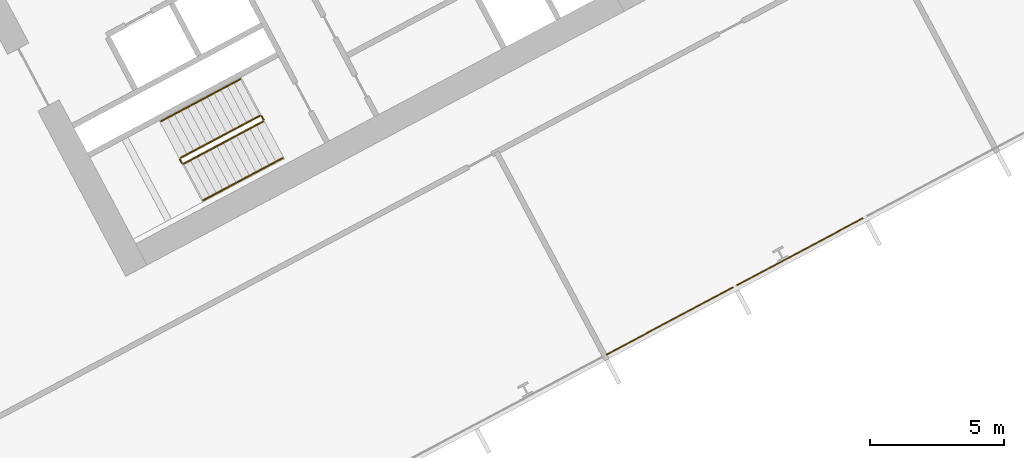
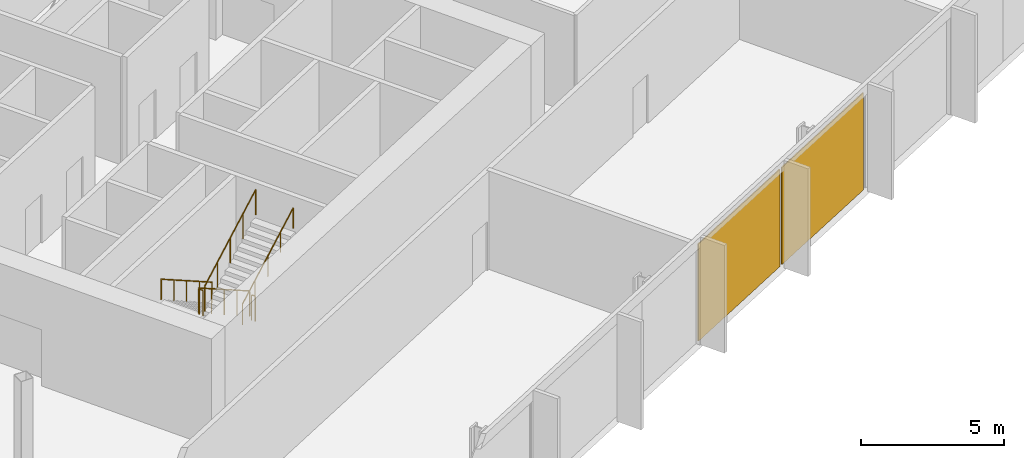
# One storey, part 27 of 32: 6 railings, 2 coverings, 1 element without a shape of its own.
"""IFC4 building model written with IfcOpenShell, lengths in metres."""

from ifc_helpers import new_model, si_unit, direction, frame, origin, origin_2d, place, context, subcontext, project, spatial, polyline, rectangle, outline, extrude, material, layer, layer_set, type_object, element, aggregate, save


model = new_model("IFC4")

# Units and contexts
model_context = context("Model", 3, precision=1e-05, world=origin(), true_north=direction((0.0, 1.0)))
body_context = subcontext(model_context, "Body", "Model", "MODEL_VIEW")
ifc_project = project(units=[si_unit("LENGTHUNIT", "METRE"), si_unit("AREAUNIT", "SQUARE_METRE"), si_unit("VOLUMEUNIT", "CUBIC_METRE"), si_unit("PLANEANGLEUNIT", "RADIAN"), si_unit("MASSUNIT", "GRAM", prefix="KILO")], contexts=[model_context])

# Site, building, storey
site_placement = place(None, origin())
site = spatial("IfcSite", under=ifc_project, at=site_placement, CompositionType="ELEMENT")
building_placement = place(site_placement, origin())
building = spatial("IfcBuilding", under=site, at=building_placement, Name="Cormorant Relay Tower", CompositionType="ELEMENT")
storey_placement = place(building_placement, frame((0.0, 0.0, 70.800048828125)))
storey = spatial("IfcBuildingStorey", under=building, at=storey_placement, Name="L13", CompositionType="ELEMENT", Elevation=70.800048828125)

# Curtain wall, coverings
ifc_material_1 = material(Name="Aluminium 6063-T6 anodised bronze", Category="aluminium")
ifc_layer_1 = layer(ifc_material_1, 0.199951171875)
ifc_layer_set_1 = layer_set([ifc_layer_1], Name="CW1 unitised bronze curtain wall with vertical fins")
curtain_wall_type = type_object("IfcCurtainWallType", Name="CW1 unitised bronze curtain wall with vertical fins", PredefinedType="NOTDEFINED", material=ifc_layer_set_1)
curtain_wall_placement = place(storey_placement, origin())
curtain_wall = element("IfcCurtainWall", 1, at=curtain_wall_placement, inside=storey, type_object=curtain_wall_type, Name="CW1 curtain wall 2", PredefinedType="NOTDEFINED")
ifc_material_2 = material(Name="Pale bronze anodised aluminium insulated panel", Category="aluminium")
ifc_layer_2 = layer(ifc_material_2, 0.0400390625)
ifc_layer_set_2 = layer_set([ifc_layer_2], Name="CW1 pale bronze insulated panel 40")
covering_type = type_object("IfcCoveringType", Name="CW1 pale bronze insulated panel 40", PredefinedType="CLADDING", material=ifc_layer_set_2)
covering_1_placement = place(storey_placement, frame((39.158203125, -2.98583984375, 0.0), z_axis=(0.0, 0.0, 1.0), x_axis=(0.882947592859, 0.469471562786, 0.0)))
covering_1 = element("IfcCovering", 2, at=covering_1_placement, type_object=covering_type, Name="CW1 panel S07", PredefinedType="CLADDING", context=body_context, shape_type="SweptSolid", body=[
    extrude(rectangle(XDim=5.36181640625, YDim=0.0400390625, at=origin_2d()), origin(), (0.0, 0.0, 1.0), 4.14990234375),
])
covering_2_placement = place(storey_placement, frame((44.02490234375, -0.398193359375, 0.0), z_axis=(0.0, 0.0, 1.0), x_axis=(0.882947592859, 0.469471562786, 0.0)))
covering_2 = element("IfcCovering", 3, at=covering_2_placement, type_object=covering_type, Name="CW1 panel S08", PredefinedType="CLADDING", context=body_context, shape_type="SweptSolid", body=[
    extrude(rectangle(XDim=5.36181640625, YDim=0.0400390625, at=origin_2d()), origin(), (0.0, 0.0, 1.0), 4.14990234375),
])
aggregate(curtain_wall, [covering_1, covering_2])

# Railings
ifc_material_3 = material(Name="Steel ASTM A572 Grade 50 (Fy 345 MPa)", Category="steel")
railing_type_1 = type_object("IfcRailingType", Name="Stair guard 1100", PredefinedType="GUARDRAIL", material=ifc_material_3)
railing_1_placement = place(storey_placement, frame((23.83837890625, 4.6904296875, 0.1767578125)))
element("IfcRailing", 4, at=railing_1_placement, inside=storey, type_object=railing_type_1, Name="L13 B1 stair guard 1", PredefinedType="GUARDRAIL", context=body_context, shape_type="SweptSolid", body=[
    extrude(outline(polyline([(0.022216796875, 0.00927734375), (0.00927734375, 0.022216796875), (-0.00927734375, 0.022216796875), (-0.022216796875, 0.00927734375), (-0.022216796875, -0.00927734375), (-0.00927734375, -0.022216796875), (0.00927734375, -0.022216796875), (0.022216796875, -0.00927734375), (0.022216796875, 0.00927734375)])), frame((0.0, 0.0, 1.076171875), z_axis=(-0.746416176936, -0.396856066424, 0.534198608526), x_axis=(0.46945269911, -0.882957622595, 0.0)), (0.0, 0.0, 1.0), 3.974609375),
    extrude(outline(polyline([(0.019287109375, 0.008056640625), (0.008056640625, 0.019287109375), (-0.008056640625, 0.019287109375), (-0.019287109375, 0.008056640625), (-0.019287109375, -0.008056640625), (-0.008056640625, -0.019287109375), (0.008056640625, -0.019287109375), (0.019287109375, -0.008056640625), (0.019287109375, 0.008056640625)])), origin(), (0.0, 0.0, 1.0), 1.052001953125),
    extrude(outline(polyline([(0.019287109375, 0.008056640625), (0.008056640625, 0.019287109375), (-0.008056640625, 0.019287109375), (-0.019287109375, 0.008056640625), (-0.019287109375, -0.008056640625), (-0.008056640625, -0.019287109375), (0.008056640625, -0.019287109375), (0.019287109375, -0.008056640625), (0.019287109375, 0.008056640625)])), frame((-0.74169921875, -0.394287109375, 0.53076171875)), (0.0, 0.0, 1.0), 1.052001953125),
    extrude(outline(polyline([(0.019287109375, 0.008056640625), (0.008056640625, 0.019287109375), (-0.008056640625, 0.019287109375), (-0.019287109375, 0.008056640625), (-0.019287109375, -0.008056640625), (-0.008056640625, -0.019287109375), (0.008056640625, -0.019287109375), (0.019287109375, -0.008056640625), (0.019287109375, 0.008056640625)])), frame((-1.4833984375, -0.78857421875, 1.0615234375)), (0.0, 0.0, 1.0), 1.052001953125),
    extrude(outline(polyline([(0.019287109375, 0.008056640625), (0.008056640625, 0.019287109375), (-0.008056640625, 0.019287109375), (-0.019287109375, 0.008056640625), (-0.019287109375, -0.008056640625), (-0.008056640625, -0.019287109375), (0.008056640625, -0.019287109375), (0.019287109375, -0.008056640625), (0.019287109375, 0.008056640625)])), frame((-2.22509765625, -1.18310546875, 1.592529296875)), (0.0, 0.0, 1.0), 1.052001953125),
    extrude(outline(polyline([(0.019287109375, 0.008056640625), (0.008056640625, 0.019287109375), (-0.008056640625, 0.019287109375), (-0.019287109375, 0.008056640625), (-0.019287109375, -0.008056640625), (-0.008056640625, -0.019287109375), (0.008056640625, -0.019287109375), (0.019287109375, -0.008056640625), (0.019287109375, 0.008056640625)])), frame((-2.966796875, -1.577392578125, 2.123291015625)), (0.0, 0.0, 1.0), 1.052001953125),
])
railing_2_placement = place(storey_placement, frame((20.850830078125, 3.04541015625, 2.300048828125)))
element("IfcRailing", 5, at=railing_2_placement, inside=storey, type_object=railing_type_1, Name="L13 B1 stair guard 2", PredefinedType="GUARDRAIL", context=body_context, shape_type="SweptSolid", body=[
    extrude(outline(polyline([(0.022216796875, 0.00927734375), (0.00927734375, 0.022216796875), (-0.00927734375, 0.022216796875), (-0.022216796875, 0.00927734375), (-0.022216796875, -0.00927734375), (-0.00927734375, -0.022216796875), (0.00927734375, -0.022216796875), (0.022216796875, -0.00927734375), (0.022216796875, 0.00927734375)])), frame((0.0, 0.0, 1.076171875), z_axis=(0.469828648786, -0.882757634224, 0.0), x_axis=(0.882757634224, 0.469828648786, 0.0)), (0.0, 0.0, 1.0), 0.150146484375),
    extrude(outline(polyline([(0.019287109375, 0.008056640625), (0.008056640625, 0.019287109375), (-0.008056640625, 0.019287109375), (-0.019287109375, 0.008056640625), (-0.019287109375, -0.008056640625), (-0.008056640625, -0.019287109375), (0.008056640625, -0.019287109375), (0.019287109375, -0.008056640625), (0.019287109375, 0.008056640625)])), origin(), (0.0, 0.0, 1.0), 1.052001953125),
    extrude(outline(polyline([(0.019287109375, 0.008056640625), (0.008056640625, 0.019287109375), (-0.008056640625, 0.019287109375), (-0.019287109375, 0.008056640625), (-0.019287109375, -0.008056640625), (-0.008056640625, -0.019287109375), (0.008056640625, -0.019287109375), (0.019287109375, -0.008056640625), (0.019287109375, 0.008056640625)])), frame((0.070556640625, -0.132568359375, 0.0)), (0.0, 0.0, 1.0), 1.052001953125),
])
railing_3_placement = place(storey_placement, frame((20.989013671875, 2.892333984375, 2.476806640625)))
element("IfcRailing", 6, at=railing_3_placement, inside=storey, type_object=railing_type_1, Name="L13 B1 stair guard 3", PredefinedType="GUARDRAIL", context=body_context, shape_type="SweptSolid", body=[
    extrude(outline(polyline([(0.022216796875, 0.00927734375), (0.00927734375, 0.022216796875), (-0.00927734375, 0.022216796875), (-0.022216796875, 0.00927734375), (-0.022216796875, -0.00927734375), (-0.00927734375, -0.022216796875), (0.00927734375, -0.022216796875), (0.022216796875, -0.00927734375), (0.022216796875, 0.00927734375)])), frame((0.0, 0.0, 1.076171875), z_axis=(0.746413465702, 0.396887285154, 0.534179203172), x_axis=(-0.469482818608, 0.88294160794, 0.0)), (0.0, 0.0, 1.0), 3.974365234375),
    extrude(outline(polyline([(0.019287109375, 0.008056640625), (0.008056640625, 0.019287109375), (-0.008056640625, 0.019287109375), (-0.019287109375, 0.008056640625), (-0.019287109375, -0.008056640625), (-0.008056640625, -0.019287109375), (0.008056640625, -0.019287109375), (0.019287109375, -0.008056640625), (0.019287109375, 0.008056640625)])), origin(), (0.0, 0.0, 1.0), 1.052001953125),
    extrude(outline(polyline([(0.019287109375, 0.008056640625), (0.008056640625, 0.019287109375), (-0.008056640625, 0.019287109375), (-0.019287109375, 0.008056640625), (-0.019287109375, -0.008056640625), (-0.008056640625, -0.019287109375), (0.008056640625, -0.019287109375), (0.019287109375, -0.008056640625), (0.019287109375, 0.008056640625)])), frame((0.74169921875, 0.394287109375, 0.53076171875)), (0.0, 0.0, 1.0), 1.052001953125),
    extrude(outline(polyline([(0.019287109375, 0.008056640625), (0.008056640625, 0.019287109375), (-0.008056640625, 0.019287109375), (-0.019287109375, 0.008056640625), (-0.019287109375, -0.008056640625), (-0.008056640625, -0.019287109375), (0.008056640625, -0.019287109375), (0.019287109375, -0.008056640625), (0.019287109375, 0.008056640625)])), frame((1.4833984375, 0.78857421875, 1.0615234375)), (0.0, 0.0, 1.0), 1.052001953125),
    extrude(outline(polyline([(0.019287109375, 0.008056640625), (0.008056640625, 0.019287109375), (-0.008056640625, 0.019287109375), (-0.019287109375, 0.008056640625), (-0.019287109375, -0.008056640625), (-0.008056640625, -0.019287109375), (0.008056640625, -0.019287109375), (0.019287109375, -0.008056640625), (0.019287109375, 0.008056640625)])), frame((2.224853515625, 1.18310546875, 1.59228515625)), (0.0, 0.0, 1.0), 1.052001953125),
    extrude(outline(polyline([(0.019287109375, 0.008056640625), (0.008056640625, 0.019287109375), (-0.008056640625, 0.019287109375), (-0.019287109375, 0.008056640625), (-0.019287109375, -0.008056640625), (-0.008056640625, -0.019287109375), (0.008056640625, -0.019287109375), (0.019287109375, -0.008056640625), (0.019287109375, 0.008056640625)])), frame((2.966552734375, 1.577392578125, 2.123046875)), (0.0, 0.0, 1.0), 1.052001953125),
])
railing_4_placement = place(storey_placement, frame((23.906005859375, 4.669677734375, 0.0)))
element("IfcRailing", 7, at=railing_4_placement, inside=storey, type_object=railing_type_1, Name="L13 B1 stair guard 4", PredefinedType="GUARDRAIL", context=body_context, shape_type="SweptSolid", body=[
    extrude(outline(polyline([(0.022216796875, 0.00927734375), (0.00927734375, 0.022216796875), (-0.00927734375, 0.022216796875), (-0.022216796875, 0.00927734375), (-0.022216796875, -0.00927734375), (-0.00927734375, -0.022216796875), (0.00927734375, -0.022216796875), (0.022216796875, -0.00927734375), (0.022216796875, 0.00927734375)])), frame((0.0, 0.0, 1.076171875), z_axis=(0.469234640946, -0.883073525669, 0.0), x_axis=(0.883073525669, 0.469234640946, 0.0)), (0.0, 0.0, 1.0), 0.14990234375),
    extrude(outline(polyline([(0.019287109375, 0.008056640625), (0.008056640625, 0.019287109375), (-0.008056640625, 0.019287109375), (-0.019287109375, 0.008056640625), (-0.019287109375, -0.008056640625), (-0.008056640625, -0.019287109375), (0.008056640625, -0.019287109375), (0.019287109375, -0.008056640625), (0.019287109375, 0.008056640625)])), origin(), (0.0, 0.0, 1.0), 1.052001953125),
    extrude(outline(polyline([(0.019287109375, 0.008056640625), (0.008056640625, 0.019287109375), (-0.008056640625, 0.019287109375), (-0.019287109375, 0.008056640625), (-0.019287109375, -0.008056640625), (-0.008056640625, -0.019287109375), (0.008056640625, -0.019287109375), (0.019287109375, -0.008056640625), (0.019287109375, 0.008056640625)])), frame((0.0703125, -0.13232421875, 0.0)), (0.0, 0.0, 1.0), 1.052001953125),
])
ifc_material_4 = material(Name="Steel ASTM A572 Grade 50 (Fy 345 MPa)", Category="steel")
railing_type_2 = type_object("IfcRailingType", Name="Stair handrail 900", PredefinedType="HANDRAIL", material=ifc_material_4)
railing_5_placement = place(storey_placement, frame((23.110595703125, 6.05908203125, 0.1767578125)))
element("IfcRailing", 8, at=railing_5_placement, inside=storey, type_object=railing_type_2, Name="L13 B1 stair handrail 1", PredefinedType="HANDRAIL", context=body_context, shape_type="SweptSolid", body=[
    extrude(outline(polyline([(0.022216796875, 0.00927734375), (0.00927734375, 0.022216796875), (-0.00927734375, 0.022216796875), (-0.022216796875, 0.00927734375), (-0.022216796875, -0.00927734375), (-0.00927734375, -0.022216796875), (0.00927734375, -0.022216796875), (0.022216796875, -0.00927734375), (0.022216796875, 0.00927734375)])), frame((0.0, 0.0, 0.8759765625), z_axis=(-0.746388972956, -0.396874261729, 0.534223100798), x_axis=(0.469482818608, -0.88294160794, 0.0)), (0.0, 0.0, 1.0), 3.974609375),
    extrude(outline(polyline([(0.019287109375, 0.008056640625), (0.008056640625, 0.019287109375), (-0.008056640625, 0.019287109375), (-0.019287109375, 0.008056640625), (-0.019287109375, -0.008056640625), (-0.008056640625, -0.019287109375), (0.008056640625, -0.019287109375), (0.019287109375, -0.008056640625), (0.019287109375, 0.008056640625)])), origin(), (0.0, 0.0, 1.0), 0.851806640625),
    extrude(outline(polyline([(0.019287109375, 0.008056640625), (0.008056640625, 0.019287109375), (-0.008056640625, 0.019287109375), (-0.019287109375, 0.008056640625), (-0.019287109375, -0.008056640625), (-0.008056640625, -0.019287109375), (0.008056640625, -0.019287109375), (0.019287109375, -0.008056640625), (0.019287109375, 0.008056640625)])), frame((-0.74169921875, -0.394287109375, 0.53076171875)), (0.0, 0.0, 1.0), 0.851806640625),
    extrude(outline(polyline([(0.019287109375, 0.008056640625), (0.008056640625, 0.019287109375), (-0.008056640625, 0.019287109375), (-0.019287109375, 0.008056640625), (-0.019287109375, -0.008056640625), (-0.008056640625, -0.019287109375), (0.008056640625, -0.019287109375), (0.019287109375, -0.008056640625), (0.019287109375, 0.008056640625)])), frame((-1.4833984375, -0.78857421875, 1.0615234375)), (0.0, 0.0, 1.0), 0.851806640625),
    extrude(outline(polyline([(0.019287109375, 0.008056640625), (0.008056640625, 0.019287109375), (-0.008056640625, 0.019287109375), (-0.019287109375, 0.008056640625), (-0.019287109375, -0.008056640625), (-0.008056640625, -0.019287109375), (0.008056640625, -0.019287109375), (0.019287109375, -0.008056640625), (0.019287109375, 0.008056640625)])), frame((-2.224853515625, -1.18310546875, 1.592529296875)), (0.0, 0.0, 1.0), 0.851806640625),
    extrude(outline(polyline([(0.019287109375, 0.008056640625), (0.008056640625, 0.019287109375), (-0.008056640625, 0.019287109375), (-0.019287109375, 0.008056640625), (-0.019287109375, -0.008056640625), (-0.008056640625, -0.019287109375), (0.008056640625, -0.019287109375), (0.019287109375, -0.008056640625), (0.019287109375, 0.008056640625)])), frame((-2.966552734375, -1.577392578125, 2.123291015625)), (0.0, 0.0, 1.0), 0.851806640625),
])
railing_6_placement = place(storey_placement, frame((21.716552734375, 1.523681640625, 2.476806640625)))
element("IfcRailing", 9, at=railing_6_placement, inside=storey, type_object=railing_type_2, Name="L13 B1 stair handrail 2", PredefinedType="HANDRAIL", context=body_context, shape_type="SweptSolid", body=[
    extrude(outline(polyline([(0.022216796875, 0.00927734375), (0.00927734375, 0.022216796875), (-0.00927734375, 0.022216796875), (-0.022216796875, 0.00927734375), (-0.022216796875, -0.00927734375), (-0.00927734375, -0.022216796875), (0.00927734375, -0.022216796875), (0.022216796875, -0.00927734375), (0.022216796875, 0.00927734375)])), frame((0.0, 0.0, 0.8759765625), z_axis=(0.746440668329, 0.396869088057, 0.534154711306), x_axis=(-0.46945269911, 0.882957622595, 0.0)), (0.0, 0.0, 1.0), 3.974609375),
    extrude(outline(polyline([(0.019287109375, 0.008056640625), (0.008056640625, 0.019287109375), (-0.008056640625, 0.019287109375), (-0.019287109375, 0.008056640625), (-0.019287109375, -0.008056640625), (-0.008056640625, -0.019287109375), (0.008056640625, -0.019287109375), (0.019287109375, -0.008056640625), (0.019287109375, 0.008056640625)])), origin(), (0.0, 0.0, 1.0), 0.851806640625),
    extrude(outline(polyline([(0.019287109375, 0.008056640625), (0.008056640625, 0.019287109375), (-0.008056640625, 0.019287109375), (-0.019287109375, 0.008056640625), (-0.019287109375, -0.008056640625), (-0.008056640625, -0.019287109375), (0.008056640625, -0.019287109375), (0.019287109375, -0.008056640625), (0.019287109375, 0.008056640625)])), frame((0.74169921875, 0.394287109375, 0.53076171875)), (0.0, 0.0, 1.0), 0.851806640625),
    extrude(outline(polyline([(0.019287109375, 0.008056640625), (0.008056640625, 0.019287109375), (-0.008056640625, 0.019287109375), (-0.019287109375, 0.008056640625), (-0.019287109375, -0.008056640625), (-0.008056640625, -0.019287109375), (0.008056640625, -0.019287109375), (0.019287109375, -0.008056640625), (0.019287109375, 0.008056640625)])), frame((1.4833984375, 0.78857421875, 1.0615234375)), (0.0, 0.0, 1.0), 0.851806640625),
    extrude(outline(polyline([(0.019287109375, 0.008056640625), (0.008056640625, 0.019287109375), (-0.008056640625, 0.019287109375), (-0.019287109375, 0.008056640625), (-0.019287109375, -0.008056640625), (-0.008056640625, -0.019287109375), (0.008056640625, -0.019287109375), (0.019287109375, -0.008056640625), (0.019287109375, 0.008056640625)])), frame((2.22509765625, 1.18310546875, 1.59228515625)), (0.0, 0.0, 1.0), 0.851806640625),
    extrude(outline(polyline([(0.019287109375, 0.008056640625), (0.008056640625, 0.019287109375), (-0.008056640625, 0.019287109375), (-0.019287109375, 0.008056640625), (-0.019287109375, -0.008056640625), (-0.008056640625, -0.019287109375), (0.008056640625, -0.019287109375), (0.019287109375, -0.008056640625), (0.019287109375, 0.008056640625)])), frame((2.966796875, 1.577392578125, 2.123046875)), (0.0, 0.0, 1.0), 0.851806640625),
])

save(model, "model.ifc")
